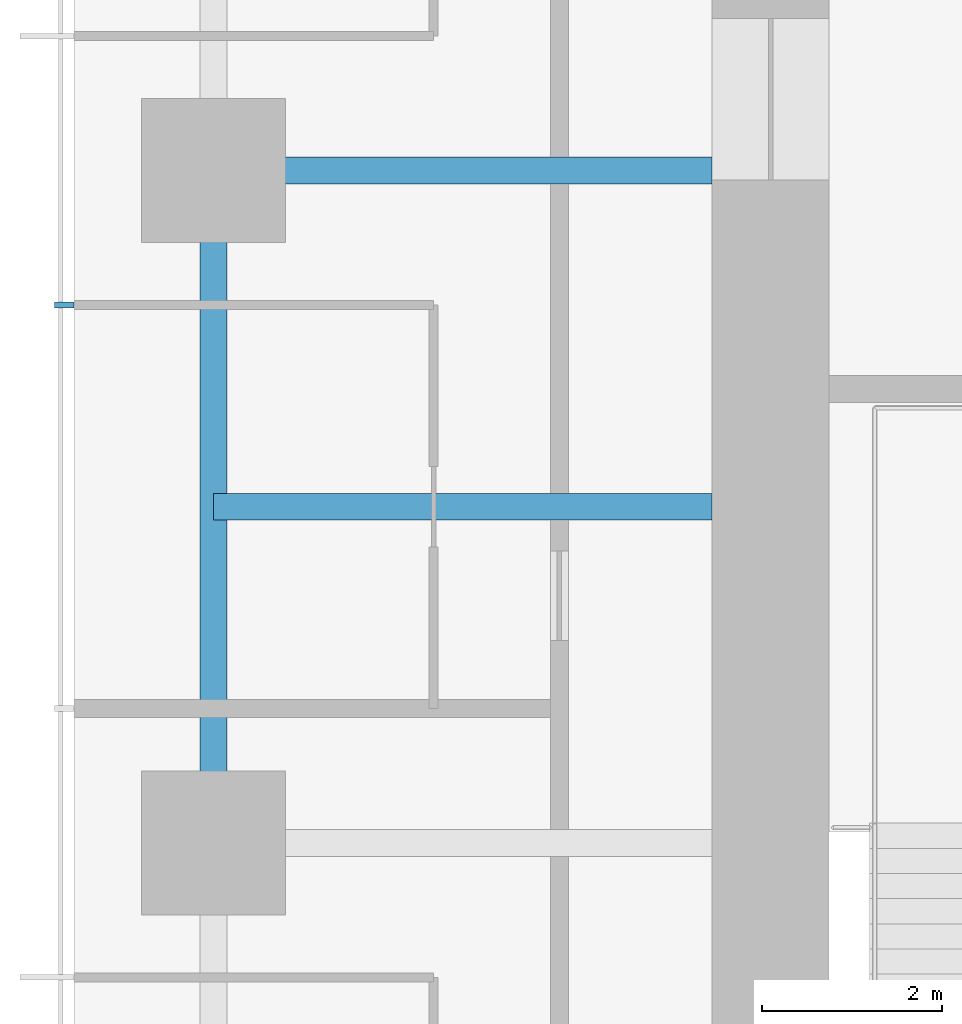
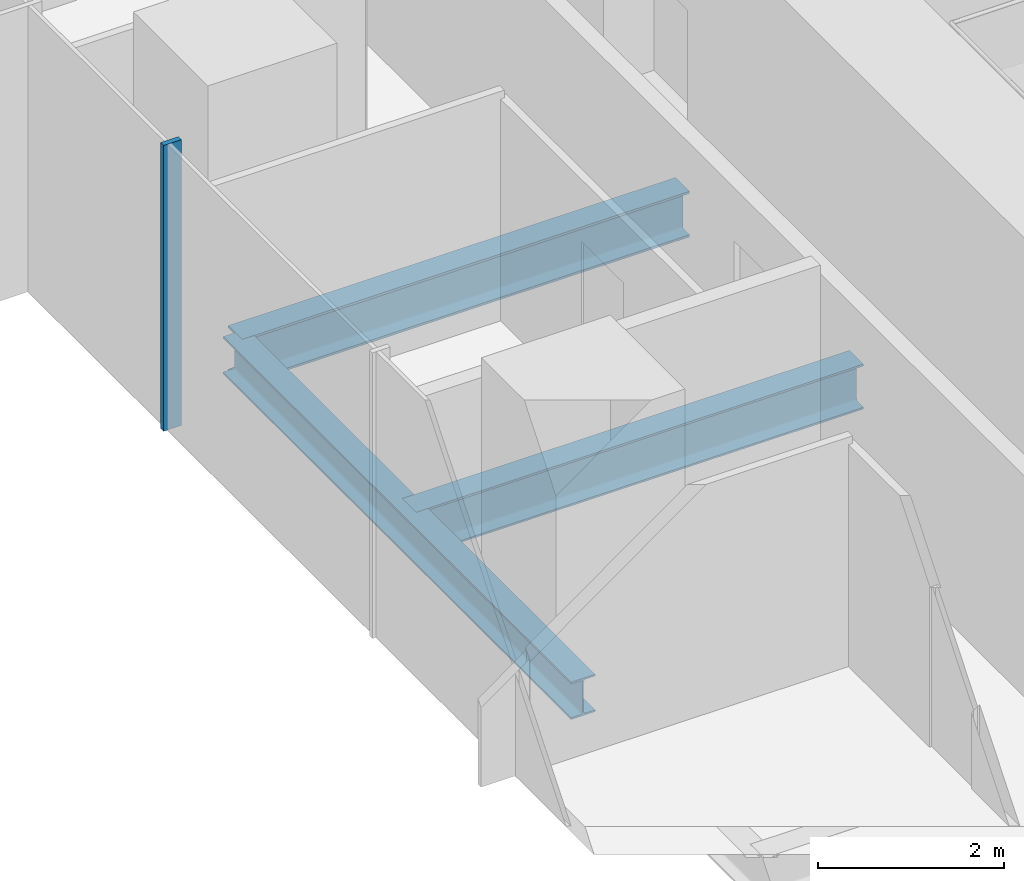
# One storey, part 3 of 12: 3 beams, 1 member, 1 element without a shape of its own.
"""IFC4 building model written with IfcOpenShell, lengths in metres."""

from ifc_helpers import new_model, si_unit, direction, frame, origin, origin_2d, place, context, subcontext, project, spatial, rectangle, i_section, extrude, material, material_profile, profile_set, type_object, element, aggregate, save


model = new_model("IFC4")

# Units and contexts
model_context = context("Model", 3, precision=1e-05, world=origin(), true_north=direction((0.0, 1.0)))
body_context = subcontext(model_context, "Body", "Model", "MODEL_VIEW")
ifc_project = project(units=[si_unit("LENGTHUNIT", "METRE"), si_unit("AREAUNIT", "SQUARE_METRE"), si_unit("VOLUMEUNIT", "CUBIC_METRE"), si_unit("PLANEANGLEUNIT", "RADIAN"), si_unit("MASSUNIT", "GRAM", prefix="KILO")], contexts=[model_context])

# Site, building, storey
site_placement = place(None, origin())
site = spatial("IfcSite", under=ifc_project, at=site_placement, CompositionType="ELEMENT")
building_placement = place(site_placement, origin())
building = spatial("IfcBuilding", under=site, at=building_placement, Name="Khuree Lantern Residences", CompositionType="ELEMENT")
storey_placement = place(building_placement, frame((0.0, 0.0, 319.5)))
storey = spatial("IfcBuildingStorey", under=building, at=storey_placement, Name="L80", CompositionType="ELEMENT", Elevation=319.5)

# Beams
ifc_material_1 = material(Name="Steel S355", Category="steel")
ifc_material_profile_1 = material_profile(ifc_material_1, i_section(OverallWidth=0.300048828125, OverallDepth=0.590087890625, WebThickness=0.012939453125, FlangeThickness=0.02490234375, FilletRadius=0.027099609375, at=origin_2d()), Name="HE 600 A")
ifc_profile_set_1 = profile_set([ifc_material_profile_1], Name="Steel S355")
beam_type_1 = type_object("IfcBeamType", Name="B-43 SECONDARY BEAM HE 600 A", PredefinedType="BEAM", material=ifc_profile_set_1)
beam_1_placement = place(storey_placement, frame((-21.699951171875, 3.739990234375, -0.544921875), z_axis=(1.0, 0.0, 0.0), x_axis=(0.0, 1.0, 0.0)))
element("IfcBeam", 1, at=beam_1_placement, inside=storey, type_object=beam_type_1, Name="Secondary beam W4", PredefinedType="BEAM", context=body_context, shape_type="SweptSolid", body=[
    extrude(i_section(OverallWidth=0.300048828125, OverallDepth=0.590087890625, WebThickness=0.012939453125, FlangeThickness=0.02490234375, FilletRadius=0.027099609375, at=origin_2d()), origin(), (0.0, 0.0, 1.0), 5.550048828125),
])
ifc_material_profile_2 = material_profile(ifc_material_1, i_section(OverallWidth=0.300048828125, OverallDepth=0.489990234375, WebThickness=0.011962890625, FlangeThickness=0.02294921875, FilletRadius=0.027099609375, at=origin_2d()), Name="HE 500 A")
ifc_profile_set_2 = profile_set([ifc_material_profile_2], Name="Steel S355")
beam_type_2 = type_object("IfcBeamType", Name="E-43 SPANDREL BEAM HE 500 A", PredefinedType="SPANDREL", material=ifc_profile_set_2)
beam_2_placement = place(storey_placement, frame((-21.699951171875, 0.0, -0.4951171875), z_axis=(0.0, 1.0, 0.0), x_axis=(-1.0, 0.0, 0.0)))
element("IfcBeam", 2, at=beam_2_placement, inside=storey, type_object=beam_type_2, Name="Spandrel beam W4", PredefinedType="SPANDREL", context=body_context, shape_type="SweptSolid", body=[
    extrude(i_section(OverallWidth=0.300048828125, OverallDepth=0.489990234375, WebThickness=0.011962890625, FlangeThickness=0.02294921875, FilletRadius=0.027099609375, at=origin_2d()), origin(), (0.0, 0.0, 1.0), 7.47998046875),
])
ifc_material_profile_3 = material_profile(ifc_material_1, i_section(OverallWidth=0.300048828125, OverallDepth=0.60009765625, WebThickness=0.015380859375, FlangeThickness=0.030029296875, FilletRadius=0.027099609375, at=origin_2d()), Name="HE 600 B")
ifc_profile_set_3 = profile_set([ifc_material_profile_3], Name="Steel S355")
beam_type_3 = type_object("IfcBeamType", Name="G-43 GIRDER HE 600 B", PredefinedType="BEAM", material=ifc_profile_set_3)
beam_3_placement = place(storey_placement, frame((-21.699951171875, 7.47998046875, -0.550048828125), z_axis=(1.0, 0.0, 0.0), x_axis=(0.0, 1.0, 0.0)))
element("IfcBeam", 3, at=beam_3_placement, inside=storey, type_object=beam_type_3, Name="Girder W4", PredefinedType="BEAM", context=body_context, shape_type="SweptSolid", body=[
    extrude(i_section(OverallWidth=0.300048828125, OverallDepth=0.60009765625, WebThickness=0.015380859375, FlangeThickness=0.030029296875, FilletRadius=0.027099609375, at=origin_2d()), origin(), (0.0, 0.0, 1.0), 5.550048828125),
])

# Curtain wall, member
ifc_material_2 = material(Name="Bronze anodised aluminium", Category="aluminium")
curtain_wall_type = type_object("IfcCurtainWallType", Name="CW-T1 TOWER FACE CURTAIN WALL", PredefinedType="USERDEFINED", material=ifc_material_2)
curtain_wall_placement = place(storey_placement, origin())
curtain_wall = element("IfcCurtainWall", 4, at=curtain_wall_placement, inside=storey, type_object=curtain_wall_type, Name="L80 WEST FACE CURTAIN WALL", ObjectType="Stick-built curtain wall", PredefinedType="USERDEFINED")
ifc_material_profile_4 = material_profile(ifc_material_2, rectangle(XDim=0.06494140625, YDim=0.219970703125, at=origin_2d()), Name="M1 65X220")
ifc_profile_set_4 = profile_set([ifc_material_profile_4], Name="Bronze anodised aluminium")
member_type = type_object("IfcMemberType", Name="M1 BRONZE MULLION TOWER 65X220", PredefinedType="MULLION", material=ifc_profile_set_4)
member_placement = place(storey_placement, frame((-23.360107421875, 5.98388671875, 0.0), z_axis=(0.0, 0.0, 1.0), x_axis=(0.0, -1.0, 0.0)))
member = element("IfcMember", 5, at=member_placement, type_object=member_type, Name="L80 WEST FACE MULLION 36", PredefinedType="MULLION", context=body_context, shape_type="SweptSolid", body=[
    extrude(rectangle(XDim=0.06494140625, YDim=0.219970703125, at=origin_2d()), origin(), (0.0, 0.0, 1.0), 3.75),
])
aggregate(curtain_wall, [member])

save(model, "model.ifc")
